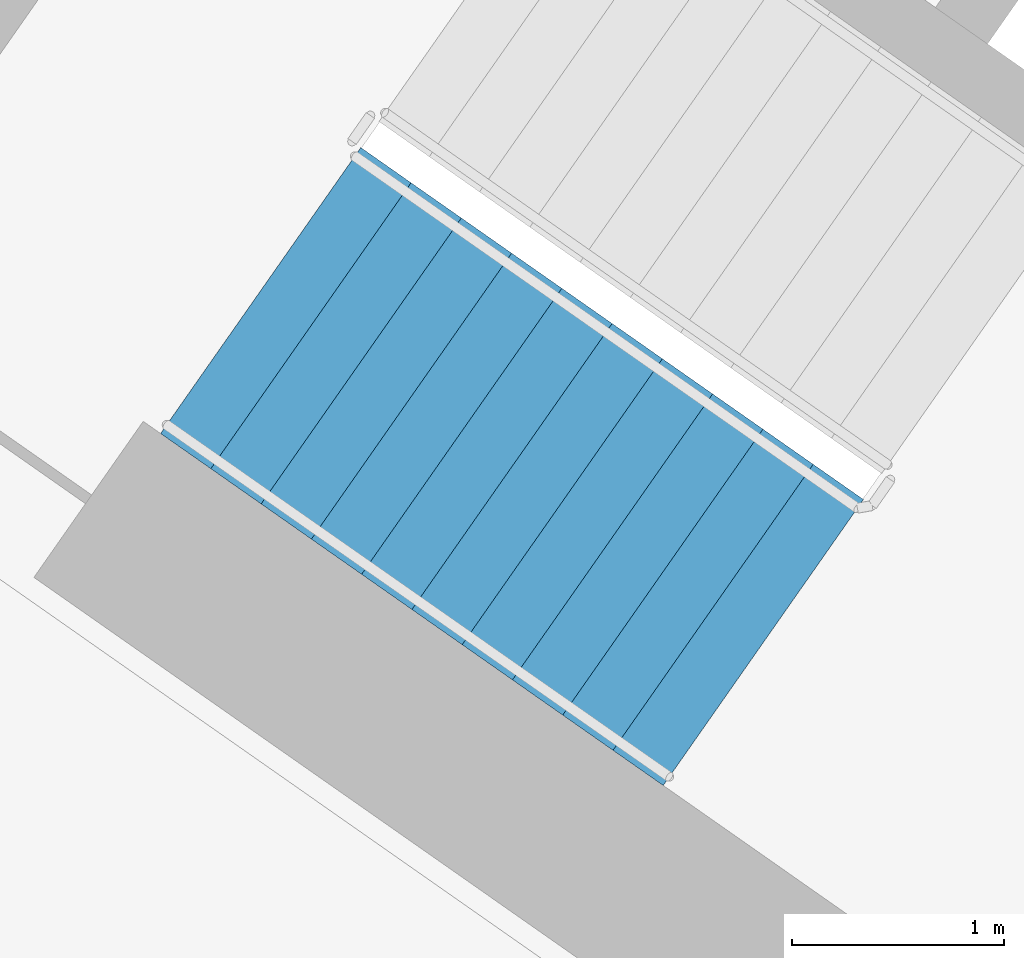
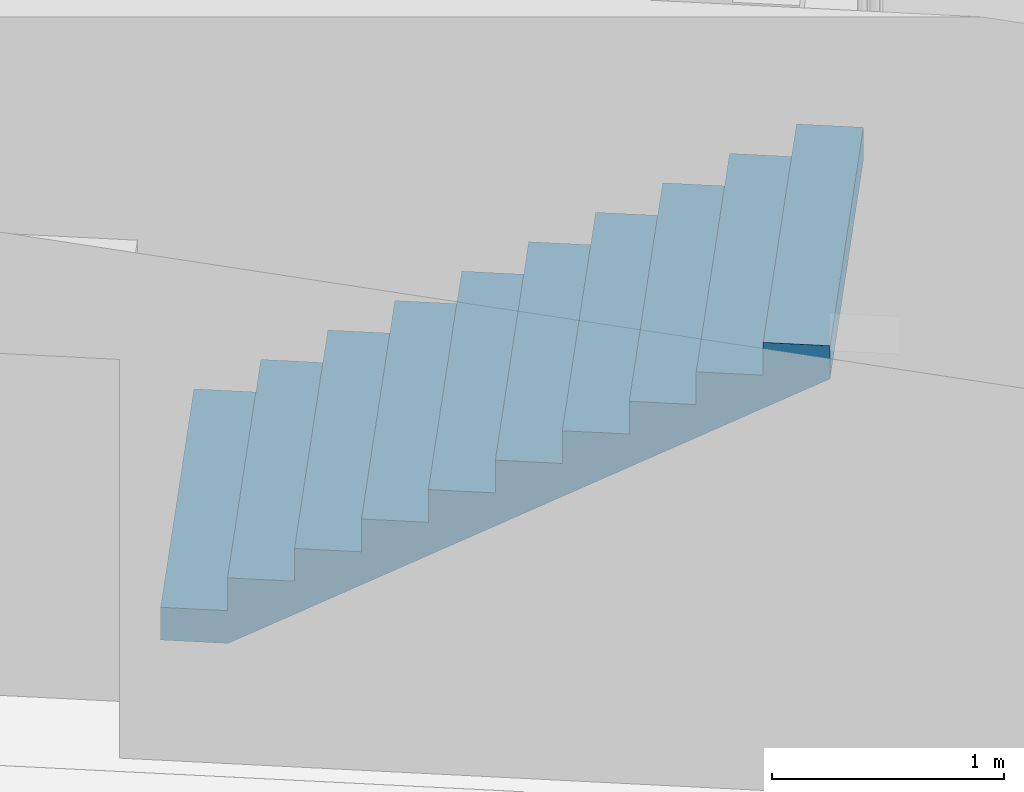
# One storey, part 10 of 29: 1 stair flight, 1 element without a shape of its own.
"""IFC4 building model written with IfcOpenShell, lengths in metres."""

from ifc_helpers import new_model, si_unit, direction, frame, origin, place, context, subcontext, project, spatial, faceted_brep, material, type_object, element, aggregate, save


model = new_model("IFC4")

# Units and contexts
model_context = context("Model", 3, precision=1e-05, world=origin(), true_north=direction((0.0, 1.0)))
body_context = subcontext(model_context, "Body", "Model", "MODEL_VIEW")
ifc_project = project(units=[si_unit("LENGTHUNIT", "METRE"), si_unit("AREAUNIT", "SQUARE_METRE"), si_unit("VOLUMEUNIT", "CUBIC_METRE"), si_unit("PLANEANGLEUNIT", "RADIAN"), si_unit("MASSUNIT", "GRAM", prefix="KILO")], contexts=[model_context])

# Site, building, storey
site_placement = place(None, origin())
site = spatial("IfcSite", under=ifc_project, at=site_placement, CompositionType="ELEMENT")
building_placement = place(site_placement, origin())
building = spatial("IfcBuilding", under=site, at=building_placement, Name="Qamariyya Broadcast Tower", CompositionType="ELEMENT")
storey_placement = place(building_placement, frame((0.0, 0.0, 136.699951171875)))
storey = spatial("IfcBuildingStorey", under=building, at=storey_placement, Name="L31", CompositionType="ELEMENT", Elevation=136.699951171875)

# Stair, stair flight
ifc_material = material(Name="Concrete C50/60", Category="concrete")
stair_type = type_object("IfcStairType", Name="Exit stair 22 risers of 173 mm", PredefinedType="HALF_TURN_STAIR", material=ifc_material)
stair_placement = place(storey_placement, origin())
stair = element("IfcStair", 1, at=stair_placement, inside=storey, type_object=stair_type, Name="L31 Stair W1", PredefinedType="HALF_TURN_STAIR")
stair_flight_type = type_object("IfcStairFlightType", Name="Exit stair flight 11 risers of 173 mm", PredefinedType="STRAIGHT", material=ifc_material)
stair_flight_placement = place(storey_placement, frame((-47.06884765625, -56.982666015625, 0.0), z_axis=(0.0, 0.0, 1.0), x_axis=(0.819152044289, -0.573576436351, 0.0)))
stair_flight = element("IfcStairFlight", 2, at=stair_flight_placement, type_object=stair_flight_type, Name="ST-W1 flight 1", NumberOfRisers=11, NumberOfTreads=10, PredefinedType="STRAIGHT", RiserHeight=0.172727273, TreadLength=0.29, context=body_context, shape_type="Brep", body=[
    faceted_brep([(0.0, 0.824951171875, 0.0), (0.0, 0.824951171875, 0.172607421875), (0.2900390625, 0.824951171875, 0.172607421875), (0.2900390625, 0.824951171875, 0.345458984375), (0.580078125, 0.824951171875, 0.345458984375), (0.580078125, 0.824951171875, 0.51806640625), (0.8701171875, 0.824951171875, 0.51806640625), (0.8701171875, 0.824951171875, 0.69091796875), (1.159912109375, 0.824951171875, 0.69091796875), (1.159912109375, 0.824951171875, 0.863525390625), (1.449951171875, 0.824951171875, 0.863525390625), (1.449951171875, 0.824951171875, 1.036376953125), (1.739990234375, 0.824951171875, 1.036376953125), (1.739990234375, 0.824951171875, 1.208984375), (2.030029296875, 0.824951171875, 1.208984375), (2.030029296875, 0.824951171875, 1.3818359375), (2.320068359375, 0.824951171875, 1.3818359375), (2.320068359375, 0.824951171875, 1.554443359375), (2.610107421875, 0.824951171875, 1.554443359375), (2.610107421875, 0.824951171875, 1.727294921875), (2.89990234375, 0.824951171875, 1.727294921875), (2.89990234375, 0.824951171875, 1.552734375), (0.29296875, 0.824951171875, 0.0), (0.29296875, -0.824951171875, 0.0), (2.89990234375, -0.824951171875, 1.552734375), (2.89990234375, -0.824951171875, 1.727294921875), (2.610107421875, -0.824951171875, 1.727294921875), (2.610107421875, -0.824951171875, 1.554443359375), (2.320068359375, -0.824951171875, 1.554443359375), (2.320068359375, -0.824951171875, 1.3818359375), (2.030029296875, -0.824951171875, 1.3818359375), (2.030029296875, -0.824951171875, 1.208984375), (1.739990234375, -0.824951171875, 1.208984375), (1.739990234375, -0.824951171875, 1.036376953125), (1.449951171875, -0.824951171875, 1.036376953125), (1.449951171875, -0.824951171875, 0.863525390625), (1.159912109375, -0.824951171875, 0.863525390625), (1.159912109375, -0.824951171875, 0.69091796875), (0.8701171875, -0.824951171875, 0.69091796875), (0.8701171875, -0.824951171875, 0.51806640625), (0.580078125, -0.824951171875, 0.51806640625), (0.580078125, -0.824951171875, 0.345458984375), (0.2900390625, -0.824951171875, 0.345458984375), (0.2900390625, -0.824951171875, 0.172607421875), (0.0, -0.824951171875, 0.172607421875), (0.0, -0.824951171875, 0.0), (0.0, 0.10009765625, 0.0), (0.0, 0.086669921875, 0.0), (0.0, 0.0732421875, 0.0), (0.0, 0.06005859375, 0.0), (0.0, 0.046630859375, 0.0), (0.0, 0.033447265625, 0.0), (0.0, 0.02001953125, 0.0), (0.0, 0.006591796875, 0.0), (0.0, -0.006591796875, 0.0), (0.0, -0.02001953125, 0.0), (0.0, -0.033447265625, 0.0), (0.0, -0.046630859375, 0.0), (0.0, -0.06005859375, 0.0), (0.0, -0.0732421875, 0.0), (0.0, -0.086669921875, 0.0), (0.0, -0.10009765625, 0.0), (0.0, -0.10009765625, 0.172607421875), (0.0, -0.086669921875, 0.172607421875), (0.0, -0.0732421875, 0.172607421875), (0.0, -0.06005859375, 0.172607421875), (0.0, -0.046630859375, 0.172607421875), (0.0, -0.033447265625, 0.172607421875), (0.0, -0.02001953125, 0.172607421875), (0.0, -0.006591796875, 0.172607421875), (0.0, 0.006591796875, 0.172607421875), (0.0, 0.02001953125, 0.172607421875), (0.0, 0.033447265625, 0.172607421875), (0.0, 0.046630859375, 0.172607421875), (0.0, 0.06005859375, 0.172607421875), (0.0, 0.0732421875, 0.172607421875), (0.0, 0.086669921875, 0.172607421875), (0.0, 0.10009765625, 0.172607421875), (0.2900390625, -0.10009765625, 0.172607421875), (0.2900390625, -0.086669921875, 0.172607421875), (0.2900390625, -0.0732421875, 0.172607421875), (0.2900390625, -0.06005859375, 0.172607421875), (0.2900390625, -0.046630859375, 0.172607421875), (0.2900390625, -0.033447265625, 0.172607421875), (0.2900390625, -0.02001953125, 0.172607421875), (0.2900390625, -0.006591796875, 0.172607421875), (0.2900390625, 0.006591796875, 0.172607421875), (0.2900390625, 0.02001953125, 0.172607421875), (0.2900390625, 0.033447265625, 0.172607421875), (0.2900390625, 0.046630859375, 0.172607421875), (0.2900390625, 0.06005859375, 0.172607421875), (0.2900390625, 0.0732421875, 0.172607421875), (0.2900390625, 0.086669921875, 0.172607421875), (0.2900390625, 0.10009765625, 0.172607421875), (0.2900390625, -0.10009765625, 0.345458984375), (0.2900390625, -0.086669921875, 0.345458984375), (0.2900390625, -0.0732421875, 0.345458984375), (0.2900390625, -0.06005859375, 0.345458984375), (0.2900390625, -0.046630859375, 0.345458984375), (0.2900390625, -0.033447265625, 0.345458984375), (0.2900390625, -0.02001953125, 0.345458984375), (0.2900390625, -0.006591796875, 0.345458984375), (0.2900390625, 0.006591796875, 0.345458984375), (0.2900390625, 0.02001953125, 0.345458984375), (0.2900390625, 0.033447265625, 0.345458984375), (0.2900390625, 0.046630859375, 0.345458984375), (0.2900390625, 0.06005859375, 0.345458984375), (0.2900390625, 0.0732421875, 0.345458984375), (0.2900390625, 0.086669921875, 0.345458984375), (0.2900390625, 0.10009765625, 0.345458984375), (0.580078125, -0.10009765625, 0.345458984375), (0.580078125, -0.086669921875, 0.345458984375), (0.580078125, -0.0732421875, 0.345458984375), (0.580078125, -0.06005859375, 0.345458984375), (0.580078125, -0.046630859375, 0.345458984375), (0.580078125, -0.033447265625, 0.345458984375), (0.580078125, -0.02001953125, 0.345458984375), (0.580078125, -0.006591796875, 0.345458984375), (0.580078125, 0.006591796875, 0.345458984375), (0.580078125, 0.02001953125, 0.345458984375), (0.580078125, 0.033447265625, 0.345458984375), (0.580078125, 0.046630859375, 0.345458984375), (0.580078125, 0.06005859375, 0.345458984375), (0.580078125, 0.0732421875, 0.345458984375), (0.580078125, 0.086669921875, 0.345458984375), (0.580078125, 0.10009765625, 0.345458984375), (0.580078125, -0.10009765625, 0.51806640625), (0.580078125, -0.086669921875, 0.51806640625), (0.580078125, -0.0732421875, 0.51806640625), (0.580078125, -0.06005859375, 0.51806640625), (0.580078125, -0.046630859375, 0.51806640625), (0.580078125, -0.033447265625, 0.51806640625), (0.580078125, -0.02001953125, 0.51806640625), (0.580078125, -0.006591796875, 0.51806640625), (0.580078125, 0.006591796875, 0.51806640625), (0.580078125, 0.02001953125, 0.51806640625), (0.580078125, 0.033447265625, 0.51806640625), (0.580078125, 0.046630859375, 0.51806640625), (0.580078125, 0.06005859375, 0.51806640625), (0.580078125, 0.0732421875, 0.51806640625), (0.580078125, 0.086669921875, 0.51806640625), (0.580078125, 0.10009765625, 0.51806640625), (0.8701171875, -0.10009765625, 0.51806640625), (0.8701171875, -0.086669921875, 0.51806640625), (0.8701171875, -0.0732421875, 0.51806640625), (0.8701171875, -0.06005859375, 0.51806640625), (0.8701171875, -0.046630859375, 0.51806640625), (0.8701171875, -0.033447265625, 0.51806640625), (0.8701171875, -0.02001953125, 0.51806640625), (0.8701171875, -0.006591796875, 0.51806640625), (0.8701171875, 0.006591796875, 0.51806640625), (0.8701171875, 0.02001953125, 0.51806640625), (0.8701171875, 0.033447265625, 0.51806640625), (0.8701171875, 0.046630859375, 0.51806640625), (0.8701171875, 0.06005859375, 0.51806640625), (0.8701171875, 0.0732421875, 0.51806640625), (0.8701171875, 0.086669921875, 0.51806640625), (0.8701171875, 0.10009765625, 0.51806640625), (0.8701171875, -0.10009765625, 0.69091796875), (0.8701171875, -0.086669921875, 0.69091796875), (0.8701171875, -0.0732421875, 0.69091796875), (0.8701171875, -0.06005859375, 0.69091796875), (0.8701171875, -0.046630859375, 0.69091796875), (0.8701171875, -0.033447265625, 0.69091796875), (0.8701171875, -0.02001953125, 0.69091796875), (0.8701171875, -0.006591796875, 0.69091796875), (0.8701171875, 0.006591796875, 0.69091796875), (0.8701171875, 0.02001953125, 0.69091796875), (0.8701171875, 0.033447265625, 0.69091796875), (0.8701171875, 0.046630859375, 0.69091796875), (0.8701171875, 0.06005859375, 0.69091796875), (0.8701171875, 0.0732421875, 0.69091796875), (0.8701171875, 0.086669921875, 0.69091796875), (0.8701171875, 0.10009765625, 0.69091796875), (1.159912109375, -0.10009765625, 0.69091796875), (1.159912109375, -0.086669921875, 0.69091796875), (1.159912109375, -0.0732421875, 0.69091796875), (1.159912109375, -0.06005859375, 0.69091796875), (1.159912109375, -0.046630859375, 0.69091796875), (1.159912109375, -0.033447265625, 0.69091796875), (1.159912109375, -0.02001953125, 0.69091796875), (1.159912109375, -0.006591796875, 0.69091796875), (1.159912109375, 0.006591796875, 0.69091796875), (1.159912109375, 0.02001953125, 0.69091796875), (1.159912109375, 0.033447265625, 0.69091796875), (1.159912109375, 0.046630859375, 0.69091796875), (1.159912109375, 0.06005859375, 0.69091796875), (1.159912109375, 0.0732421875, 0.69091796875), (1.159912109375, 0.086669921875, 0.69091796875), (1.159912109375, 0.10009765625, 0.69091796875), (1.159912109375, -0.10009765625, 0.863525390625), (1.159912109375, -0.086669921875, 0.863525390625), (1.159912109375, -0.0732421875, 0.863525390625), (1.159912109375, -0.06005859375, 0.863525390625), (1.159912109375, -0.046630859375, 0.863525390625), (1.159912109375, -0.033447265625, 0.863525390625), (1.159912109375, -0.02001953125, 0.863525390625), (1.159912109375, -0.006591796875, 0.863525390625), (1.159912109375, 0.006591796875, 0.863525390625), (1.159912109375, 0.02001953125, 0.863525390625), (1.159912109375, 0.033447265625, 0.863525390625), (1.159912109375, 0.046630859375, 0.863525390625), (1.159912109375, 0.06005859375, 0.863525390625), (1.159912109375, 0.0732421875, 0.863525390625), (1.159912109375, 0.086669921875, 0.863525390625), (1.159912109375, 0.10009765625, 0.863525390625), (1.449951171875, -0.10009765625, 0.863525390625), (1.449951171875, -0.086669921875, 0.863525390625), (1.449951171875, -0.0732421875, 0.863525390625), (1.449951171875, -0.06005859375, 0.863525390625), (1.449951171875, -0.046630859375, 0.863525390625), (1.449951171875, -0.033447265625, 0.863525390625), (1.449951171875, -0.02001953125, 0.863525390625), (1.449951171875, -0.006591796875, 0.863525390625), (1.449951171875, 0.006591796875, 0.863525390625), (1.449951171875, 0.02001953125, 0.863525390625), (1.449951171875, 0.033447265625, 0.863525390625), (1.449951171875, 0.046630859375, 0.863525390625), (1.449951171875, 0.06005859375, 0.863525390625), (1.449951171875, 0.0732421875, 0.863525390625), (1.449951171875, 0.086669921875, 0.863525390625), (1.449951171875, 0.10009765625, 0.863525390625), (1.449951171875, -0.10009765625, 1.036376953125), (1.449951171875, -0.086669921875, 1.036376953125), (1.449951171875, -0.0732421875, 1.036376953125), (1.449951171875, -0.06005859375, 1.036376953125), (1.449951171875, -0.046630859375, 1.036376953125), (1.449951171875, -0.033447265625, 1.036376953125), (1.449951171875, -0.02001953125, 1.036376953125), (1.449951171875, -0.006591796875, 1.036376953125), (1.449951171875, 0.006591796875, 1.036376953125), (1.449951171875, 0.02001953125, 1.036376953125), (1.449951171875, 0.033447265625, 1.036376953125), (1.449951171875, 0.046630859375, 1.036376953125), (1.449951171875, 0.06005859375, 1.036376953125), (1.449951171875, 0.0732421875, 1.036376953125), (1.449951171875, 0.086669921875, 1.036376953125), (1.449951171875, 0.10009765625, 1.036376953125), (1.739990234375, -0.10009765625, 1.036376953125), (1.739990234375, -0.086669921875, 1.036376953125), (1.739990234375, -0.0732421875, 1.036376953125), (1.739990234375, -0.06005859375, 1.036376953125), (1.739990234375, -0.046630859375, 1.036376953125), (1.739990234375, -0.033447265625, 1.036376953125), (1.739990234375, -0.02001953125, 1.036376953125), (1.739990234375, -0.006591796875, 1.036376953125), (1.739990234375, 0.006591796875, 1.036376953125), (1.739990234375, 0.02001953125, 1.036376953125), (1.739990234375, 0.033447265625, 1.036376953125), (1.739990234375, 0.046630859375, 1.036376953125), (1.739990234375, 0.06005859375, 1.036376953125), (1.739990234375, 0.0732421875, 1.036376953125), (1.739990234375, 0.086669921875, 1.036376953125), (1.739990234375, 0.10009765625, 1.036376953125), (1.739990234375, -0.10009765625, 1.208984375), (1.739990234375, -0.086669921875, 1.208984375), (1.739990234375, -0.0732421875, 1.208984375), (1.739990234375, -0.06005859375, 1.208984375), (1.739990234375, -0.046630859375, 1.208984375), (1.739990234375, -0.033447265625, 1.208984375), (1.739990234375, -0.02001953125, 1.208984375), (1.739990234375, -0.006591796875, 1.208984375), (1.739990234375, 0.006591796875, 1.208984375), (1.739990234375, 0.02001953125, 1.208984375), (1.739990234375, 0.033447265625, 1.208984375), (1.739990234375, 0.046630859375, 1.208984375), (1.739990234375, 0.06005859375, 1.208984375), (1.739990234375, 0.0732421875, 1.208984375), (1.739990234375, 0.086669921875, 1.208984375), (1.739990234375, 0.10009765625, 1.208984375), (2.030029296875, -0.10009765625, 1.208984375), (2.030029296875, -0.086669921875, 1.208984375), (2.030029296875, -0.0732421875, 1.208984375), (2.030029296875, -0.06005859375, 1.208984375), (2.030029296875, -0.046630859375, 1.208984375), (2.030029296875, -0.033447265625, 1.208984375), (2.030029296875, -0.02001953125, 1.208984375), (2.030029296875, -0.006591796875, 1.208984375), (2.030029296875, 0.006591796875, 1.208984375), (2.030029296875, 0.02001953125, 1.208984375), (2.030029296875, 0.033447265625, 1.208984375), (2.030029296875, 0.046630859375, 1.208984375), (2.030029296875, 0.06005859375, 1.208984375), (2.030029296875, 0.0732421875, 1.208984375), (2.030029296875, 0.086669921875, 1.208984375), (2.030029296875, 0.10009765625, 1.208984375), (2.030029296875, -0.10009765625, 1.3818359375), (2.030029296875, -0.086669921875, 1.3818359375), (2.030029296875, -0.0732421875, 1.3818359375), (2.030029296875, -0.06005859375, 1.3818359375), (2.030029296875, -0.046630859375, 1.3818359375), (2.030029296875, -0.033447265625, 1.3818359375), (2.030029296875, -0.02001953125, 1.3818359375), (2.030029296875, -0.006591796875, 1.3818359375), (2.030029296875, 0.006591796875, 1.3818359375), (2.030029296875, 0.02001953125, 1.3818359375), (2.030029296875, 0.033447265625, 1.3818359375), (2.030029296875, 0.046630859375, 1.3818359375), (2.030029296875, 0.06005859375, 1.3818359375), (2.030029296875, 0.0732421875, 1.3818359375), (2.030029296875, 0.086669921875, 1.3818359375), (2.030029296875, 0.10009765625, 1.3818359375), (2.320068359375, -0.10009765625, 1.3818359375), (2.320068359375, -0.086669921875, 1.3818359375), (2.320068359375, -0.0732421875, 1.3818359375), (2.320068359375, -0.06005859375, 1.3818359375), (2.320068359375, -0.046630859375, 1.3818359375), (2.320068359375, -0.033447265625, 1.3818359375), (2.320068359375, -0.02001953125, 1.3818359375), (2.320068359375, -0.006591796875, 1.3818359375), (2.320068359375, 0.006591796875, 1.3818359375), (2.320068359375, 0.02001953125, 1.3818359375), (2.320068359375, 0.033447265625, 1.3818359375), (2.320068359375, 0.046630859375, 1.3818359375), (2.320068359375, 0.06005859375, 1.3818359375), (2.320068359375, 0.0732421875, 1.3818359375), (2.320068359375, 0.086669921875, 1.3818359375), (2.320068359375, 0.10009765625, 1.3818359375), (2.320068359375, -0.10009765625, 1.554443359375), (2.320068359375, -0.086669921875, 1.554443359375), (2.320068359375, -0.0732421875, 1.554443359375), (2.320068359375, -0.06005859375, 1.554443359375), (2.320068359375, -0.046630859375, 1.554443359375), (2.320068359375, -0.033447265625, 1.554443359375), (2.320068359375, -0.02001953125, 1.554443359375), (2.320068359375, -0.006591796875, 1.554443359375), (2.320068359375, 0.006591796875, 1.554443359375), (2.320068359375, 0.02001953125, 1.554443359375), (2.320068359375, 0.033447265625, 1.554443359375), (2.320068359375, 0.046630859375, 1.554443359375), (2.320068359375, 0.06005859375, 1.554443359375), (2.320068359375, 0.0732421875, 1.554443359375), (2.320068359375, 0.086669921875, 1.554443359375), (2.320068359375, 0.10009765625, 1.554443359375), (2.610107421875, -0.10009765625, 1.554443359375), (2.610107421875, -0.086669921875, 1.554443359375), (2.610107421875, -0.0732421875, 1.554443359375), (2.610107421875, -0.06005859375, 1.554443359375), (2.610107421875, -0.046630859375, 1.554443359375), (2.610107421875, -0.033447265625, 1.554443359375), (2.610107421875, -0.02001953125, 1.554443359375), (2.610107421875, -0.006591796875, 1.554443359375), (2.610107421875, 0.006591796875, 1.554443359375), (2.610107421875, 0.02001953125, 1.554443359375), (2.610107421875, 0.033447265625, 1.554443359375), (2.610107421875, 0.046630859375, 1.554443359375), (2.610107421875, 0.06005859375, 1.554443359375), (2.610107421875, 0.0732421875, 1.554443359375), (2.610107421875, 0.086669921875, 1.554443359375), (2.610107421875, 0.10009765625, 1.554443359375), (2.610107421875, -0.10009765625, 1.727294921875), (2.610107421875, -0.086669921875, 1.727294921875), (2.610107421875, -0.0732421875, 1.727294921875), (2.610107421875, -0.06005859375, 1.727294921875), (2.610107421875, -0.046630859375, 1.727294921875), (2.610107421875, -0.033447265625, 1.727294921875), (2.610107421875, -0.02001953125, 1.727294921875), (2.610107421875, -0.006591796875, 1.727294921875), (2.610107421875, 0.006591796875, 1.727294921875), (2.610107421875, 0.02001953125, 1.727294921875), (2.610107421875, 0.033447265625, 1.727294921875), (2.610107421875, 0.046630859375, 1.727294921875), (2.610107421875, 0.06005859375, 1.727294921875), (2.610107421875, 0.0732421875, 1.727294921875), (2.610107421875, 0.086669921875, 1.727294921875), (2.610107421875, 0.10009765625, 1.727294921875), (2.89990234375, -0.10009765625, 1.727294921875), (2.89990234375, -0.086669921875, 1.727294921875), (2.89990234375, -0.0732421875, 1.727294921875), (2.89990234375, -0.06005859375, 1.727294921875), (2.89990234375, -0.046630859375, 1.727294921875), (2.89990234375, -0.033447265625, 1.727294921875), (2.89990234375, -0.02001953125, 1.727294921875), (2.89990234375, -0.006591796875, 1.727294921875), (2.89990234375, 0.006591796875, 1.727294921875), (2.89990234375, 0.02001953125, 1.727294921875), (2.89990234375, 0.033447265625, 1.727294921875), (2.89990234375, 0.046630859375, 1.727294921875), (2.89990234375, 0.06005859375, 1.727294921875), (2.89990234375, 0.0732421875, 1.727294921875), (2.89990234375, 0.086669921875, 1.727294921875), (2.89990234375, 0.10009765625, 1.727294921875), (2.89990234375, -0.10009765625, 1.552734375), (2.89990234375, -0.086669921875, 1.552734375), (2.89990234375, -0.0732421875, 1.552734375), (2.89990234375, -0.06005859375, 1.552734375), (2.89990234375, -0.046630859375, 1.552734375), (2.89990234375, -0.033447265625, 1.552734375), (2.89990234375, -0.02001953125, 1.552734375), (2.89990234375, -0.006591796875, 1.552734375), (2.89990234375, 0.006591796875, 1.552734375), (2.89990234375, 0.02001953125, 1.552734375), (2.89990234375, 0.033447265625, 1.552734375), (2.89990234375, 0.046630859375, 1.552734375), (2.89990234375, 0.06005859375, 1.552734375), (2.89990234375, 0.0732421875, 1.552734375), (2.89990234375, 0.086669921875, 1.552734375), (2.89990234375, 0.10009765625, 1.552734375), (0.29296875, -0.10009765625, 0.0), (0.29296875, -0.086669921875, 0.0), (0.29296875, -0.0732421875, 0.0), (0.29296875, -0.06005859375, 0.0), (0.29296875, -0.046630859375, 0.0), (0.29296875, -0.033447265625, 0.0), (0.29296875, -0.02001953125, 0.0), (0.29296875, -0.006591796875, 0.0), (0.29296875, 0.006591796875, 0.0), (0.29296875, 0.02001953125, 0.0), (0.29296875, 0.033447265625, 0.0), (0.29296875, 0.046630859375, 0.0), (0.29296875, 0.06005859375, 0.0), (0.29296875, 0.0732421875, 0.0), (0.29296875, 0.086669921875, 0.0), (0.29296875, 0.10009765625, 0.0)], [[[0, 1, 2, 3, 4, 5, 6, 7, 8, 9, 10, 11, 12, 13, 14, 15, 16, 17, 18, 19, 20, 21, 22]], [[23, 24, 25, 26, 27, 28, 29, 30, 31, 32, 33, 34, 35, 36, 37, 38, 39, 40, 41, 42, 43, 44, 45]], [[0, 46, 47, 48, 49, 50, 51, 52, 53, 54, 55, 56, 57, 58, 59, 60, 61, 45, 44, 62, 63, 64, 65, 66, 67, 68, 69, 70, 71, 72, 73, 74, 75, 76, 77, 1]], [[1, 77, 76, 75, 74, 73, 72, 71, 70, 69, 68, 67, 66, 65, 64, 63, 62, 44, 43, 78, 79, 80, 81, 82, 83, 84, 85, 86, 87, 88, 89, 90, 91, 92, 93, 2]], [[2, 93, 92, 91, 90, 89, 88, 87, 86, 85, 84, 83, 82, 81, 80, 79, 78, 43, 42, 94, 95, 96, 97, 98, 99, 100, 101, 102, 103, 104, 105, 106, 107, 108, 109, 3]], [[3, 109, 108, 107, 106, 105, 104, 103, 102, 101, 100, 99, 98, 97, 96, 95, 94, 42, 41, 110, 111, 112, 113, 114, 115, 116, 117, 118, 119, 120, 121, 122, 123, 124, 125, 4]], [[4, 125, 124, 123, 122, 121, 120, 119, 118, 117, 116, 115, 114, 113, 112, 111, 110, 41, 40, 126, 127, 128, 129, 130, 131, 132, 133, 134, 135, 136, 137, 138, 139, 140, 141, 5]], [[5, 141, 140, 139, 138, 137, 136, 135, 134, 133, 132, 131, 130, 129, 128, 127, 126, 40, 39, 142, 143, 144, 145, 146, 147, 148, 149, 150, 151, 152, 153, 154, 155, 156, 157, 6]], [[6, 157, 156, 155, 154, 153, 152, 151, 150, 149, 148, 147, 146, 145, 144, 143, 142, 39, 38, 158, 159, 160, 161, 162, 163, 164, 165, 166, 167, 168, 169, 170, 171, 172, 173, 7]], [[7, 173, 172, 171, 170, 169, 168, 167, 166, 165, 164, 163, 162, 161, 160, 159, 158, 38, 37, 174, 175, 176, 177, 178, 179, 180, 181, 182, 183, 184, 185, 186, 187, 188, 189, 8]], [[8, 189, 188, 187, 186, 185, 184, 183, 182, 181, 180, 179, 178, 177, 176, 175, 174, 37, 36, 190, 191, 192, 193, 194, 195, 196, 197, 198, 199, 200, 201, 202, 203, 204, 205, 9]], [[9, 205, 204, 203, 202, 201, 200, 199, 198, 197, 196, 195, 194, 193, 192, 191, 190, 36, 35, 206, 207, 208, 209, 210, 211, 212, 213, 214, 215, 216, 217, 218, 219, 220, 221, 10]], [[10, 221, 220, 219, 218, 217, 216, 215, 214, 213, 212, 211, 210, 209, 208, 207, 206, 35, 34, 222, 223, 224, 225, 226, 227, 228, 229, 230, 231, 232, 233, 234, 235, 236, 237, 11]], [[11, 237, 236, 235, 234, 233, 232, 231, 230, 229, 228, 227, 226, 225, 224, 223, 222, 34, 33, 238, 239, 240, 241, 242, 243, 244, 245, 246, 247, 248, 249, 250, 251, 252, 253, 12]], [[12, 253, 252, 251, 250, 249, 248, 247, 246, 245, 244, 243, 242, 241, 240, 239, 238, 33, 32, 254, 255, 256, 257, 258, 259, 260, 261, 262, 263, 264, 265, 266, 267, 268, 269, 13]], [[13, 269, 268, 267, 266, 265, 264, 263, 262, 261, 260, 259, 258, 257, 256, 255, 254, 32, 31, 270, 271, 272, 273, 274, 275, 276, 277, 278, 279, 280, 281, 282, 283, 284, 285, 14]], [[14, 285, 284, 283, 282, 281, 280, 279, 278, 277, 276, 275, 274, 273, 272, 271, 270, 31, 30, 286, 287, 288, 289, 290, 291, 292, 293, 294, 295, 296, 297, 298, 299, 300, 301, 15]], [[15, 301, 300, 299, 298, 297, 296, 295, 294, 293, 292, 291, 290, 289, 288, 287, 286, 30, 29, 302, 303, 304, 305, 306, 307, 308, 309, 310, 311, 312, 313, 314, 315, 316, 317, 16]], [[16, 317, 316, 315, 314, 313, 312, 311, 310, 309, 308, 307, 306, 305, 304, 303, 302, 29, 28, 318, 319, 320, 321, 322, 323, 324, 325, 326, 327, 328, 329, 330, 331, 332, 333, 17]], [[17, 333, 332, 331, 330, 329, 328, 327, 326, 325, 324, 323, 322, 321, 320, 319, 318, 28, 27, 334, 335, 336, 337, 338, 339, 340, 341, 342, 343, 344, 345, 346, 347, 348, 349, 18]], [[18, 349, 348, 347, 346, 345, 344, 343, 342, 341, 340, 339, 338, 337, 336, 335, 334, 27, 26, 350, 351, 352, 353, 354, 355, 356, 357, 358, 359, 360, 361, 362, 363, 364, 365, 19]], [[19, 365, 364, 363, 362, 361, 360, 359, 358, 357, 356, 355, 354, 353, 352, 351, 350, 26, 25, 366, 367, 368, 369, 370, 371, 372, 373, 374, 375, 376, 377, 378, 379, 380, 381, 20]], [[20, 381, 380, 379, 378, 377, 376, 375, 374, 373, 372, 371, 370, 369, 368, 367, 366, 25, 24, 382, 383, 384, 385, 386, 387, 388, 389, 390, 391, 392, 393, 394, 395, 396, 397, 21]], [[21, 397, 396, 395, 394, 393, 392, 391, 390, 389, 388, 387, 386, 385, 384, 383, 382, 24, 23, 398, 399, 400, 401, 402, 403, 404, 405, 406, 407, 408, 409, 410, 411, 412, 413, 22]], [[22, 413, 412, 411, 410, 409, 408, 407, 406, 405, 404, 403, 402, 401, 400, 399, 398, 23, 45, 61, 60, 59, 58, 57, 56, 55, 54, 53, 52, 51, 50, 49, 48, 47, 46, 0]]]),
])
aggregate(stair, [stair_flight])

save(model, "model.ifc")
